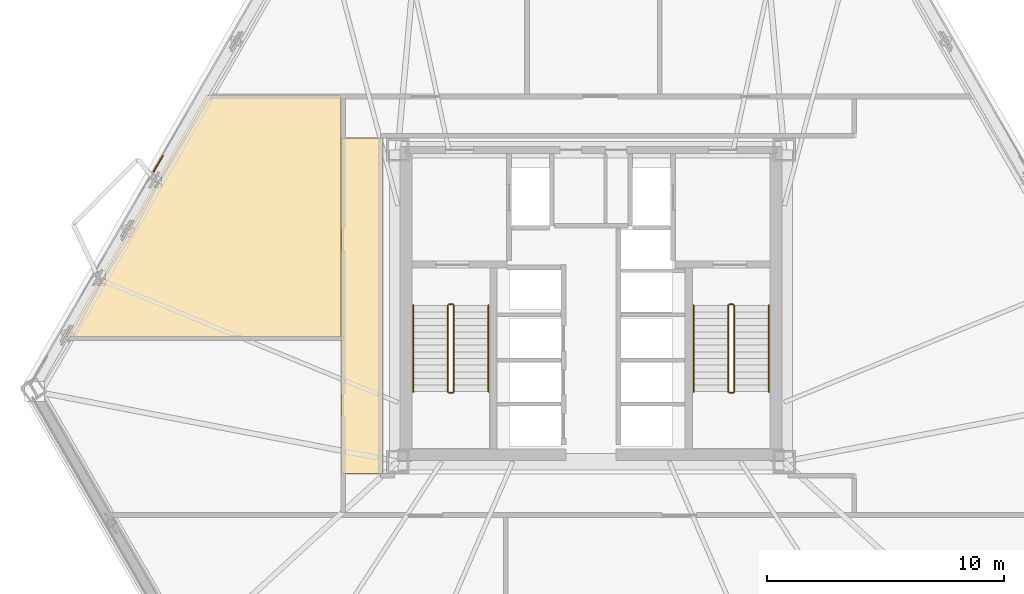
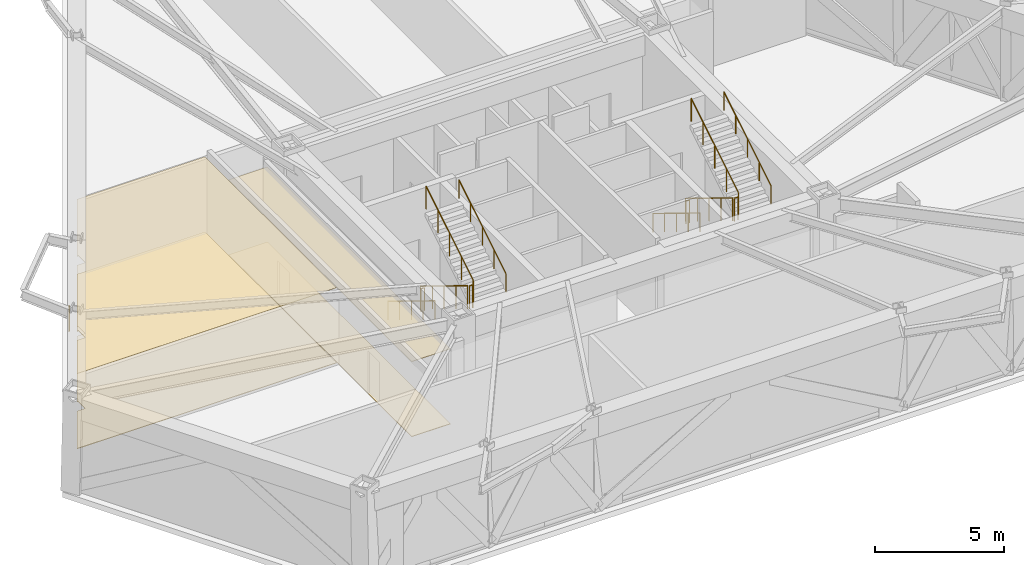
# One storey, part 10 of 11: 12 railings, 5 coverings.
"""IFC4 building model written with IfcOpenShell, lengths in metres."""

from ifc_helpers import new_model, si_unit, direction, frame, origin, origin_2d, place, context, subcontext, project, spatial, polyline, rectangle, circle, outline, extrude, material, layer, layer_set, type_object, element, save


model = new_model("IFC4")

# Units and contexts
model_context = context("Model", 3, precision=1e-05, world=origin(), true_north=direction((0.0, 1.0)))
body_context = subcontext(model_context, "Body", "Model", "MODEL_VIEW")
ifc_project = project(units=[si_unit("LENGTHUNIT", "METRE"), si_unit("AREAUNIT", "SQUARE_METRE"), si_unit("VOLUMEUNIT", "CUBIC_METRE"), si_unit("PLANEANGLEUNIT", "RADIAN"), si_unit("MASSUNIT", "GRAM", prefix="KILO")], contexts=[model_context])

# Site, building, storey
site_placement = place(None, origin())
site = spatial("IfcSite", under=ifc_project, at=site_placement, CompositionType="ELEMENT")
building_placement = place(site_placement, origin())
building = spatial("IfcBuilding", under=site, at=building_placement, Name="Oramaril Tower", CompositionType="ELEMENT")
storey_placement = place(building_placement, frame((0.0, 0.0, 77.699951171875)))
storey = spatial("IfcBuildingStorey", under=building, at=storey_placement, Name="L20", CompositionType="ELEMENT", Elevation=77.699951171875)

# Coverings
ifc_material_1 = material(Name="Mineral Fibre Acoustic Ceiling")
ifc_layer_1 = layer(ifc_material_1, 0.02001953125)
ifc_layer_set_1 = layer_set([ifc_layer_1], Name="CVT-CEIL")
covering_type_1 = type_object("IfcCoveringType", Name="CVT-CEIL", PredefinedType="CEILING", material=ifc_layer_set_1)
covering_1_placement = place(storey_placement, frame((0.0, 0.0, 3.5419921875)))
element("IfcCovering", 1, at=covering_1_placement, inside=storey, type_object=covering_type_1, Name="L20 Acoustic Suspended Ceiling 3", PredefinedType="CEILING", context=body_context, shape_type="SweptSolid", body=[
    extrude(outline(polyline([(28.699951171875, 10.5), (26.969970703125, 10.5), (26.969970703125, 24.64990234375), (28.699951171875, 24.64990234375), (28.699951171875, 10.5)])), origin(), (0.0, 0.0, 1.0), 0.02001953125),
])
covering_2_placement = place(storey_placement, frame((0.0, 0.0, 3.5419921875)))
element("IfcCovering", 2, at=covering_2_placement, inside=storey, type_object=covering_type_1, Name="L20 Acoustic Suspended Ceiling 7", PredefinedType="CEILING", context=body_context, shape_type="SweptSolid", body=[
    extrude(outline(polyline([(16.635009765625, 18.4501953125), (16.990478515625, 18.4501953125), (16.990478515625, 18.9951171875), (16.94970703125, 18.9951171875), (19.022705078125, 22.585693359375), (19.3779296875, 22.585693359375), (19.3779296875, 23.120361328125), (19.331298828125, 23.120361328125), (21.2490234375, 26.44189453125), (26.949951171875, 26.44189453125), (26.949951171875, 24.669921875), (26.9501953125, 24.66796875), (26.950439453125, 24.666015625), (26.950927734375, 24.664306640625), (26.951416015625, 24.662353515625), (26.952392578125, 24.66064453125), (26.95263671875, 24.659912109375), (26.952392578125, 24.659423828125), (26.951416015625, 24.65771484375), (26.950927734375, 24.65576171875), (26.950439453125, 24.65380859375), (26.9501953125, 24.652099609375), (26.949951171875, 24.64990234375), (26.949951171875, 16.261962890625), (15.37158203125, 16.261962890625), (16.635009765625, 18.4501953125)])), origin(), (0.0, 0.0, 1.0), 0.02001953125),
])
ifc_material_2 = material(Name="Warm Cream Limestone", Category="masonry")
ifc_layer_2 = layer(ifc_material_2, 0.050048828125)
ifc_layer_set_2 = layer_set([ifc_layer_2], Name="CVT-CLD")
covering_type_2 = type_object("IfcCoveringType", Name="CVT-CLD", PredefinedType="CLADDING", material=ifc_layer_set_2)
covering_3_placement = place(storey_placement, frame((19.242919921875, 23.569091796875, 0.0400390625), z_axis=(0.0, 0.0, 1.0), x_axis=(-0.4999984885, -0.866026276448, 0.0)))
element("IfcCovering", 3, at=covering_3_placement, inside=storey, type_object=covering_type_2, Name="L20 Warm Cream Limestone Spandrel Cladding", PredefinedType="CLADDING", context=body_context, shape_type="SweptSolid", body=[
    extrude(rectangle(XDim=0.800048828125, YDim=0.050048828125, at=origin_2d()), origin(), (0.0, 0.0, 1.0), 0.679931640625),
])
ifc_material_3 = material(Name="Honed Quartzite Stone Flooring", Category="masonry")
ifc_layer_3 = layer(ifc_material_3, 0.02490234375)
ifc_layer_set_3 = layer_set([ifc_layer_3], Name="CVT-FLR")
covering_type_3 = type_object("IfcCoveringType", Name="CVT-FLR", PredefinedType="FLOORING", material=ifc_layer_set_3)
covering_4_placement = place(storey_placement, origin())
element("IfcCovering", 4, at=covering_4_placement, inside=storey, type_object=covering_type_3, Name="L20 Honed Stone Floor Finish 3", PredefinedType="FLOORING", context=body_context, shape_type="SweptSolid", body=[
    extrude(outline(polyline([(28.699951171875, 10.5), (26.969970703125, 10.5), (26.969970703125, 24.64990234375), (28.699951171875, 24.64990234375), (28.699951171875, 10.5)])), origin(), (0.0, 0.0, 1.0), 0.025146484375),
])
covering_5_placement = place(storey_placement, origin())
element("IfcCovering", 5, at=covering_5_placement, inside=storey, type_object=covering_type_3, Name="L20 Honed Stone Floor Finish 7", PredefinedType="FLOORING", context=body_context, shape_type="SweptSolid", body=[
    extrude(outline(polyline([(16.635009765625, 18.4501953125), (16.990478515625, 18.4501953125), (16.990478515625, 18.9951171875), (16.94970703125, 18.9951171875), (19.022705078125, 22.585693359375), (19.3779296875, 22.585693359375), (19.3779296875, 23.120361328125), (19.331298828125, 23.120361328125), (21.2490234375, 26.44189453125), (26.949951171875, 26.44189453125), (26.949951171875, 24.669921875), (26.9501953125, 24.66796875), (26.950439453125, 24.666015625), (26.950927734375, 24.664306640625), (26.951416015625, 24.662353515625), (26.952392578125, 24.66064453125), (26.95263671875, 24.659912109375), (26.952392578125, 24.659423828125), (26.951416015625, 24.65771484375), (26.950927734375, 24.65576171875), (26.950439453125, 24.65380859375), (26.9501953125, 24.652099609375), (26.949951171875, 24.64990234375), (26.949951171875, 16.261962890625), (15.37158203125, 16.261962890625), (16.635009765625, 18.4501953125)])), origin(), (0.0, 0.0, 1.0), 0.025146484375),
])

# Railings
ifc_material_4 = material(Name="Stainless Steel 316L", Category="steel")
railing_type_1 = type_object("IfcRailingType", Name="RLT-GRD", PredefinedType="GUARDRAIL", material=ifc_material_4)
railing_1_placement = place(storey_placement, frame((31.4599609375, 17.590087890625, 0.17138671875)))
element("IfcRailing", 6, at=railing_1_placement, inside=storey, type_object=railing_type_1, Name="L20 ST-1 stair guard 1", PredefinedType="GUARDRAIL", context=body_context, shape_type="SweptSolid", body=[
    extrude(circle(Radius=0.02392578125, at=origin_2d()), frame((0.0, 0.0, 1.076171875), z_axis=(0.0, -0.852840387347, 0.522171689878), x_axis=(1.0, 0.0, 0.0)), (0.0, 0.0, 1.0), 4.268310546875),
    extrude(circle(Radius=0.02099609375, at=origin_2d()), origin(), (0.0, 0.0, 1.0), 1.052001953125),
    extrude(circle(Radius=0.02099609375, at=origin_2d()), frame((0.0, -0.91015625, 0.55712890625)), (0.0, 0.0, 1.0), 1.052001953125),
    extrude(circle(Radius=0.02099609375, at=origin_2d()), frame((0.0, -1.820068359375, 1.1142578125)), (0.0, 0.0, 1.0), 1.052001953125),
    extrude(circle(Radius=0.02099609375, at=origin_2d()), frame((0.0, -2.72998046875, 1.671630859375)), (0.0, 0.0, 1.0), 1.052001953125),
    extrude(circle(Radius=0.02099609375, at=origin_2d()), frame((0.0, -3.64013671875, 2.228759765625)), (0.0, 0.0, 1.0), 1.052001953125),
])
railing_2_placement = place(storey_placement, frame((31.510009765625, 13.89990234375, 2.400146484375)))
element("IfcRailing", 7, at=railing_2_placement, inside=storey, type_object=railing_type_1, Name="L20 ST-1 stair guard 2", PredefinedType="GUARDRAIL", context=body_context, shape_type="SweptSolid", body=[
    extrude(circle(Radius=0.02392578125, at=origin_2d()), frame((0.0, 0.0, 1.076171875), z_axis=(1.0, 0.0, 0.0), x_axis=(0.0, 1.0, 0.0)), (0.0, 0.0, 1.0), 0.14990234375),
    extrude(circle(Radius=0.02099609375, at=origin_2d()), origin(), (0.0, 0.0, 1.0), 1.052001953125),
    extrude(circle(Radius=0.02099609375, at=origin_2d()), frame((0.14990234375, 0.0, 0.0)), (0.0, 0.0, 1.0), 1.052001953125),
])
railing_3_placement = place(storey_placement, frame((31.7099609375, 13.949951171875, 2.571533203125)))
element("IfcRailing", 8, at=railing_3_placement, inside=storey, type_object=railing_type_1, Name="L20 ST-1 stair guard 3", PredefinedType="GUARDRAIL", context=body_context, shape_type="SweptSolid", body=[
    extrude(circle(Radius=0.02392578125, at=origin_2d()), frame((0.0, 0.0, 1.076171875), z_axis=(0.0, 0.852865859571, 0.52213008492), x_axis=(-1.0, 0.0, 0.0)), (0.0, 0.0, 1.0), 4.26806640625),
    extrude(circle(Radius=0.02099609375, at=origin_2d()), origin(), (0.0, 0.0, 1.0), 1.052001953125),
    extrude(circle(Radius=0.02099609375, at=origin_2d()), frame((0.0, 0.91015625, 0.55712890625)), (0.0, 0.0, 1.0), 1.052001953125),
    extrude(circle(Radius=0.02099609375, at=origin_2d()), frame((0.0, 1.820068359375, 1.1142578125)), (0.0, 0.0, 1.0), 1.052001953125),
    extrude(circle(Radius=0.02099609375, at=origin_2d()), frame((0.0, 2.72998046875, 1.67138671875)), (0.0, 0.0, 1.0), 1.052001953125),
    extrude(circle(Radius=0.02099609375, at=origin_2d()), frame((0.0, 3.64013671875, 2.228515625)), (0.0, 0.0, 1.0), 1.052001953125),
])
railing_4_placement = place(storey_placement, frame((31.510009765625, 17.639892578125, 0.0)))
element("IfcRailing", 9, at=railing_4_placement, inside=storey, type_object=railing_type_1, Name="L20 ST-1 stair guard 4", PredefinedType="GUARDRAIL", context=body_context, shape_type="SweptSolid", body=[
    extrude(circle(Radius=0.02392578125, at=origin_2d()), frame((0.0, 0.0, 1.076171875), z_axis=(1.0, 0.0, 0.0), x_axis=(0.0, 1.0, 0.0)), (0.0, 0.0, 1.0), 0.14990234375),
    extrude(circle(Radius=0.02099609375, at=origin_2d()), origin(), (0.0, 0.0, 1.0), 1.052001953125),
    extrude(circle(Radius=0.02099609375, at=origin_2d()), frame((0.14990234375, 0.0, 0.0)), (0.0, 0.0, 1.0), 1.052001953125),
])
railing_5_placement = place(storey_placement, frame((43.2900390625, 17.590087890625, 0.17138671875)))
element("IfcRailing", 10, at=railing_5_placement, inside=storey, type_object=railing_type_1, Name="L20 ST-2 stair guard 1", PredefinedType="GUARDRAIL", context=body_context, shape_type="SweptSolid", body=[
    extrude(circle(Radius=0.02392578125, at=origin_2d()), frame((0.0, 0.0, 1.076171875), z_axis=(0.0, -0.852840387347, 0.522171689878), x_axis=(1.0, 0.0, 0.0)), (0.0, 0.0, 1.0), 4.268310546875),
    extrude(circle(Radius=0.02099609375, at=origin_2d()), origin(), (0.0, 0.0, 1.0), 1.052001953125),
    extrude(circle(Radius=0.02099609375, at=origin_2d()), frame((0.0, -0.91015625, 0.55712890625)), (0.0, 0.0, 1.0), 1.052001953125),
    extrude(circle(Radius=0.02099609375, at=origin_2d()), frame((0.0, -1.820068359375, 1.1142578125)), (0.0, 0.0, 1.0), 1.052001953125),
    extrude(circle(Radius=0.02099609375, at=origin_2d()), frame((0.0, -2.72998046875, 1.671630859375)), (0.0, 0.0, 1.0), 1.052001953125),
    extrude(circle(Radius=0.02099609375, at=origin_2d()), frame((0.0, -3.64013671875, 2.228759765625)), (0.0, 0.0, 1.0), 1.052001953125),
])
railing_6_placement = place(storey_placement, frame((43.340087890625, 13.89990234375, 2.400146484375)))
element("IfcRailing", 11, at=railing_6_placement, inside=storey, type_object=railing_type_1, Name="L20 ST-2 stair guard 2", PredefinedType="GUARDRAIL", context=body_context, shape_type="SweptSolid", body=[
    extrude(circle(Radius=0.02392578125, at=origin_2d()), frame((0.0, 0.0, 1.076171875), z_axis=(1.0, 0.0, 0.0), x_axis=(0.0, 1.0, 0.0)), (0.0, 0.0, 1.0), 0.14990234375),
    extrude(circle(Radius=0.02099609375, at=origin_2d()), origin(), (0.0, 0.0, 1.0), 1.052001953125),
    extrude(circle(Radius=0.02099609375, at=origin_2d()), frame((0.14990234375, 0.0, 0.0)), (0.0, 0.0, 1.0), 1.052001953125),
])
railing_7_placement = place(storey_placement, frame((43.5400390625, 13.949951171875, 2.571533203125)))
element("IfcRailing", 12, at=railing_7_placement, inside=storey, type_object=railing_type_1, Name="L20 ST-2 stair guard 3", PredefinedType="GUARDRAIL", context=body_context, shape_type="SweptSolid", body=[
    extrude(circle(Radius=0.02392578125, at=origin_2d()), frame((0.0, 0.0, 1.076171875), z_axis=(0.0, 0.852865859571, 0.52213008492), x_axis=(-1.0, 0.0, 0.0)), (0.0, 0.0, 1.0), 4.26806640625),
    extrude(circle(Radius=0.02099609375, at=origin_2d()), origin(), (0.0, 0.0, 1.0), 1.052001953125),
    extrude(circle(Radius=0.02099609375, at=origin_2d()), frame((0.0, 0.91015625, 0.55712890625)), (0.0, 0.0, 1.0), 1.052001953125),
    extrude(circle(Radius=0.02099609375, at=origin_2d()), frame((0.0, 1.820068359375, 1.1142578125)), (0.0, 0.0, 1.0), 1.052001953125),
    extrude(circle(Radius=0.02099609375, at=origin_2d()), frame((0.0, 2.72998046875, 1.67138671875)), (0.0, 0.0, 1.0), 1.052001953125),
    extrude(circle(Radius=0.02099609375, at=origin_2d()), frame((0.0, 3.64013671875, 2.228515625)), (0.0, 0.0, 1.0), 1.052001953125),
])
railing_8_placement = place(storey_placement, frame((43.340087890625, 17.639892578125, 0.0)))
element("IfcRailing", 13, at=railing_8_placement, inside=storey, type_object=railing_type_1, Name="L20 ST-2 stair guard 4", PredefinedType="GUARDRAIL", context=body_context, shape_type="SweptSolid", body=[
    extrude(circle(Radius=0.02392578125, at=origin_2d()), frame((0.0, 0.0, 1.076171875), z_axis=(1.0, 0.0, 0.0), x_axis=(0.0, 1.0, 0.0)), (0.0, 0.0, 1.0), 0.14990234375),
    extrude(circle(Radius=0.02099609375, at=origin_2d()), origin(), (0.0, 0.0, 1.0), 1.052001953125),
    extrude(circle(Radius=0.02099609375, at=origin_2d()), frame((0.14990234375, 0.0, 0.0)), (0.0, 0.0, 1.0), 1.052001953125),
])
ifc_material_5 = material(Name="Stainless Steel 316L", Category="steel")
railing_type_2 = type_object("IfcRailingType", Name="RLT-HND", PredefinedType="HANDRAIL", material=ifc_material_5)
railing_9_placement = place(storey_placement, frame((30.0, 17.590087890625, 0.17138671875)))
element("IfcRailing", 14, at=railing_9_placement, inside=storey, type_object=railing_type_2, Name="L20 ST-1 stair handrail 1", PredefinedType="HANDRAIL", context=body_context, shape_type="SweptSolid", body=[
    extrude(circle(Radius=0.02392578125, at=origin_2d()), frame((0.0, 0.0, 0.8759765625), z_axis=(0.0, -0.852840387347, 0.522171689878), x_axis=(1.0, 0.0, 0.0)), (0.0, 0.0, 1.0), 4.268310546875),
    extrude(circle(Radius=0.02099609375, at=origin_2d()), origin(), (0.0, 0.0, 1.0), 0.851806640625),
    extrude(circle(Radius=0.02099609375, at=origin_2d()), frame((0.0, -0.91015625, 0.55712890625)), (0.0, 0.0, 1.0), 0.851806640625),
    extrude(circle(Radius=0.02099609375, at=origin_2d()), frame((0.0, -1.820068359375, 1.1142578125)), (0.0, 0.0, 1.0), 0.851806640625),
    extrude(circle(Radius=0.02099609375, at=origin_2d()), frame((0.0, -2.72998046875, 1.671630859375)), (0.0, 0.0, 1.0), 0.851806640625),
    extrude(circle(Radius=0.02099609375, at=origin_2d()), frame((0.0, -3.64013671875, 2.228759765625)), (0.0, 0.0, 1.0), 0.851806640625),
])
railing_10_placement = place(storey_placement, frame((33.169921875, 13.949951171875, 2.571533203125)))
element("IfcRailing", 15, at=railing_10_placement, inside=storey, type_object=railing_type_2, Name="L20 ST-1 stair handrail 2", PredefinedType="HANDRAIL", context=body_context, shape_type="SweptSolid", body=[
    extrude(circle(Radius=0.02392578125, at=origin_2d()), frame((0.0, 0.0, 0.8759765625), z_axis=(0.0, 0.852865859571, 0.52213008492), x_axis=(-1.0, 0.0, 0.0)), (0.0, 0.0, 1.0), 4.26806640625),
    extrude(circle(Radius=0.02099609375, at=origin_2d()), origin(), (0.0, 0.0, 1.0), 0.851806640625),
    extrude(circle(Radius=0.02099609375, at=origin_2d()), frame((0.0, 0.91015625, 0.55712890625)), (0.0, 0.0, 1.0), 0.851806640625),
    extrude(circle(Radius=0.02099609375, at=origin_2d()), frame((0.0, 1.820068359375, 1.1142578125)), (0.0, 0.0, 1.0), 0.851806640625),
    extrude(circle(Radius=0.02099609375, at=origin_2d()), frame((0.0, 2.72998046875, 1.67138671875)), (0.0, 0.0, 1.0), 0.851806640625),
    extrude(circle(Radius=0.02099609375, at=origin_2d()), frame((0.0, 3.64013671875, 2.228515625)), (0.0, 0.0, 1.0), 0.851806640625),
])
railing_11_placement = place(storey_placement, frame((41.830078125, 17.590087890625, 0.17138671875)))
element("IfcRailing", 16, at=railing_11_placement, inside=storey, type_object=railing_type_2, Name="L20 ST-2 stair handrail 1", PredefinedType="HANDRAIL", context=body_context, shape_type="SweptSolid", body=[
    extrude(circle(Radius=0.02392578125, at=origin_2d()), frame((0.0, 0.0, 0.8759765625), z_axis=(0.0, -0.852840387347, 0.522171689878), x_axis=(1.0, 0.0, 0.0)), (0.0, 0.0, 1.0), 4.268310546875),
    extrude(circle(Radius=0.02099609375, at=origin_2d()), origin(), (0.0, 0.0, 1.0), 0.851806640625),
    extrude(circle(Radius=0.02099609375, at=origin_2d()), frame((0.0, -0.91015625, 0.55712890625)), (0.0, 0.0, 1.0), 0.851806640625),
    extrude(circle(Radius=0.02099609375, at=origin_2d()), frame((0.0, -1.820068359375, 1.1142578125)), (0.0, 0.0, 1.0), 0.851806640625),
    extrude(circle(Radius=0.02099609375, at=origin_2d()), frame((0.0, -2.72998046875, 1.671630859375)), (0.0, 0.0, 1.0), 0.851806640625),
    extrude(circle(Radius=0.02099609375, at=origin_2d()), frame((0.0, -3.64013671875, 2.228759765625)), (0.0, 0.0, 1.0), 0.851806640625),
])
railing_12_placement = place(storey_placement, frame((45.0, 13.949951171875, 2.571533203125)))
element("IfcRailing", 17, at=railing_12_placement, inside=storey, type_object=railing_type_2, Name="L20 ST-2 stair handrail 2", PredefinedType="HANDRAIL", context=body_context, shape_type="SweptSolid", body=[
    extrude(circle(Radius=0.02392578125, at=origin_2d()), frame((0.0, 0.0, 0.8759765625), z_axis=(0.0, 0.852865859571, 0.52213008492), x_axis=(-1.0, 0.0, 0.0)), (0.0, 0.0, 1.0), 4.26806640625),
    extrude(circle(Radius=0.02099609375, at=origin_2d()), origin(), (0.0, 0.0, 1.0), 0.851806640625),
    extrude(circle(Radius=0.02099609375, at=origin_2d()), frame((0.0, 0.91015625, 0.55712890625)), (0.0, 0.0, 1.0), 0.851806640625),
    extrude(circle(Radius=0.02099609375, at=origin_2d()), frame((0.0, 1.820068359375, 1.1142578125)), (0.0, 0.0, 1.0), 0.851806640625),
    extrude(circle(Radius=0.02099609375, at=origin_2d()), frame((0.0, 2.72998046875, 1.67138671875)), (0.0, 0.0, 1.0), 0.851806640625),
    extrude(circle(Radius=0.02099609375, at=origin_2d()), frame((0.0, 3.64013671875, 2.228515625)), (0.0, 0.0, 1.0), 0.851806640625),
])

save(model, "model.ifc")
